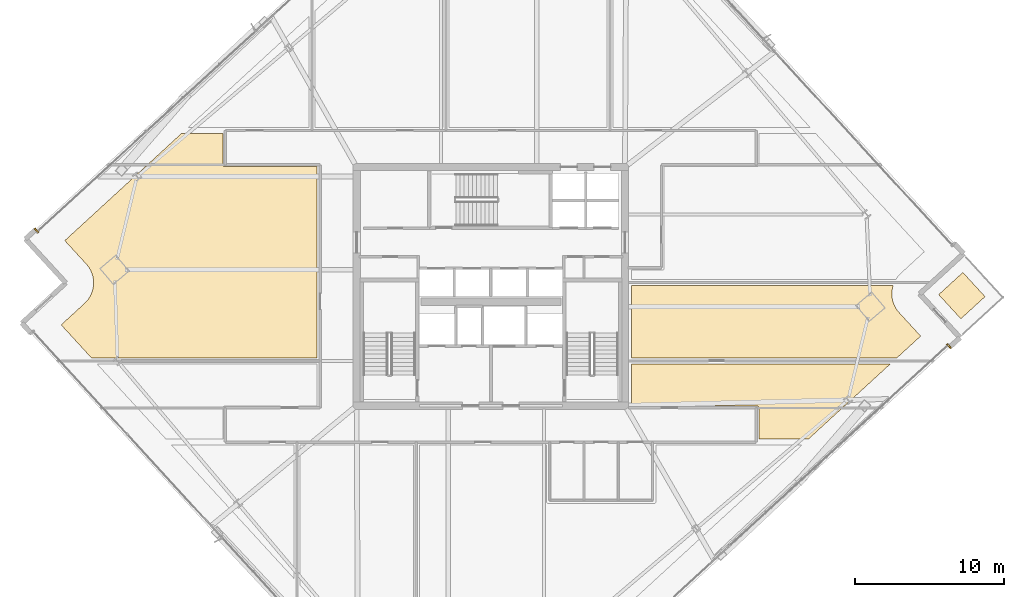
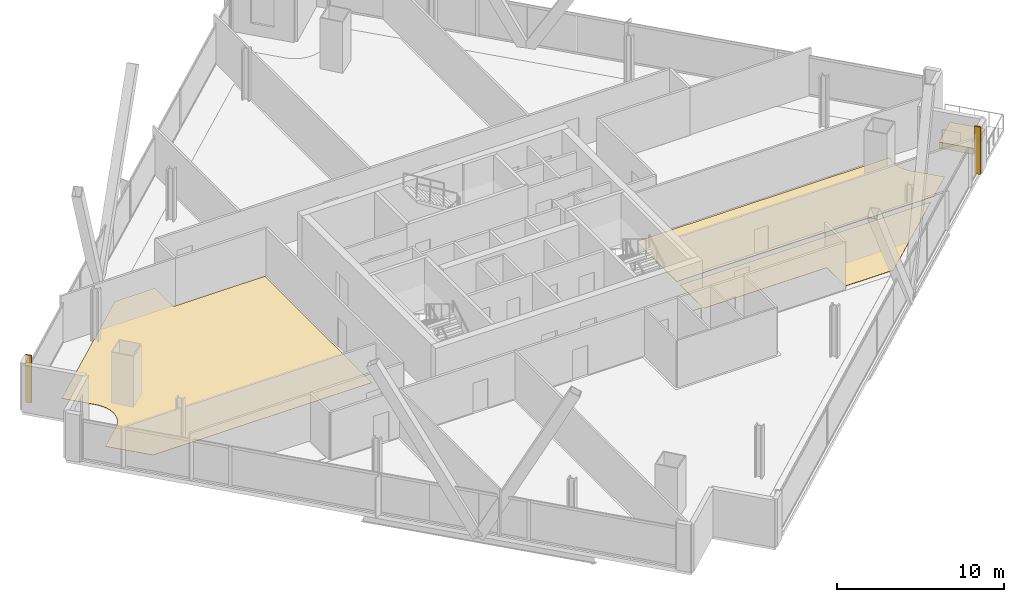
# One storey, part 30 of 32: 6 coverings.
"""IFC4 building model written with IfcOpenShell, lengths in metres."""

from ifc_helpers import new_model, si_unit, direction, frame, origin, origin_2d, place, context, subcontext, project, spatial, polyline, rectangle, outline, extrude, source, transform, mapped, material, layer, layer_set, type_object, element, save


model = new_model("IFC4")

# Units and contexts
model_context = context("Model", 3, precision=1e-05, world=origin(), true_north=direction((0.0, 1.0)))
body_context = subcontext(model_context, "Body", "Model", "MODEL_VIEW")
ifc_project = project(units=[si_unit("LENGTHUNIT", "METRE"), si_unit("AREAUNIT", "SQUARE_METRE"), si_unit("VOLUMEUNIT", "CUBIC_METRE"), si_unit("PLANEANGLEUNIT", "RADIAN"), si_unit("MASSUNIT", "GRAM", prefix="KILO")], contexts=[model_context])

# Site, building, storey
site_placement = place(None, origin())
site = spatial("IfcSite", under=ifc_project, at=site_placement, CompositionType="ELEMENT")
building_placement = place(site_placement, origin())
building = spatial("IfcBuilding", under=site, at=building_placement, Name="Haldenkirk Collegiate Tower", CompositionType="ELEMENT")
storey_placement = place(building_placement, frame((0.0, 0.0, 170.699951171875)))
storey = spatial("IfcBuildingStorey", under=building, at=storey_placement, Name="L42", CompositionType="ELEMENT", Elevation=170.699951171875)

# Coverings
ifc_material_1 = material(Name="Polished collegiate terrazzo", Category="concrete")
ifc_layer_1 = layer(ifc_material_1, 0.02490234375)
ifc_layer_set_1 = layer_set([ifc_layer_1], Name="Polished collegiate terrazzo")
covering_type_1 = type_object("IfcCoveringType", Name="COV-FLOOR-TERRAZZO", PredefinedType="FLOORING", material=ifc_layer_set_1)
covering_1_placement = place(storey_placement, origin())
element("IfcCovering", 1, at=covering_1_placement, inside=storey, type_object=covering_type_1, Name="L42 academic room finish 10", PredefinedType="FLOORING", context=body_context, shape_type="SweptSolid", body=[
    extrude(outline(polyline([(57.30029296875, 15.75), (53.969970703125, 15.75), (53.969970703125, 17.85009765625), (53.969482421875, 17.86181640625), (53.9677734375, 17.873291015625), (53.96484375, 17.884765625), (53.9609375, 17.89599609375), (53.955810546875, 17.906494140625), (53.94970703125, 17.916748046875), (53.94287109375, 17.926025390625), (53.934814453125, 17.934814453125), (53.926025390625, 17.94287109375), (53.916748046875, 17.94970703125), (53.906494140625, 17.955810546875), (53.89599609375, 17.9609375), (53.884765625, 17.96484375), (53.873291015625, 17.9677734375), (53.86181640625, 17.969482421875), (53.85009765625, 17.969970703125), (45.449951171875, 17.969970703125), (45.449951171875, 20.800048828125), (62.8017578125, 20.800048828125), (57.30029296875, 15.75)])), origin(), (0.0, 0.0, 1.0), 0.025146484375),
])
ifc_material_2 = material(Name="Engineered collegiate oak acoustic flooring", Category="wood")
ifc_layer_2 = layer(ifc_material_2, 0.02197265625)
ifc_layer_set_2 = layer_set([ifc_layer_2], Name="Engineered collegiate oak acoustic flooring")
covering_type_2 = type_object("IfcCoveringType", Name="COV-FLOOR-TIMBER", PredefinedType="FLOORING", material=ifc_layer_set_2)
covering_2_placement = place(storey_placement, origin())
element("IfcCovering", 2, at=covering_2_placement, inside=storey, type_object=covering_type_2, Name="L42 academic room finish 09", PredefinedType="FLOORING", context=body_context, shape_type="SweptSolid", body=[
    extrude(outline(polyline([(8.751708984375, 24.8515625), (8.756103515625, 24.855712890625), (8.876708984375, 24.977783203125), (8.884521484375, 24.986572265625), (8.99267578125, 25.119873046875), (8.999755859375, 25.12939453125), (9.09423828125, 25.27294921875), (9.10009765625, 25.282958984375), (9.18017578125, 25.43505859375), (9.185302734375, 25.44580078125), (9.25, 25.604736328125), (9.25390625, 25.615966796875), (9.302490234375, 25.780517578125), (9.305419921875, 25.7919921875), (9.337646484375, 25.960693359375), (9.33935546875, 25.972412109375), (9.355224609375, 26.143310546875), (9.355712890625, 26.155029296875), (9.3544921875, 26.326904296875), (9.35400390625, 26.33837890625), (9.3359375, 26.50927734375), (9.334228515625, 26.52099609375), (9.299560546875, 26.689208984375), (9.296630859375, 26.70068359375), (9.245849609375, 26.86474609375), (9.24169921875, 26.875732421875), (9.175048828125, 27.033935546875), (9.169921875, 27.04443359375), (9.088134765625, 27.1953125), (9.08203125, 27.20556640625), (8.985595703125, 27.34765625), (8.978515625, 27.357177734375), (8.868896484375, 27.4892578125), (8.864990234375, 27.49365234375), (7.424560546875, 29.062744140625), (15.254150390625, 36.25), (18.030029296875, 36.25), (18.030029296875, 34.14990234375), (18.030517578125, 34.13818359375), (18.0322265625, 34.126708984375), (18.03515625, 34.115234375), (18.0390625, 34.10400390625), (18.044189453125, 34.093505859375), (18.05029296875, 34.083251953125), (18.05712890625, 34.073974609375), (18.065185546875, 34.065185546875), (18.073974609375, 34.05712890625), (18.083251953125, 34.05029296875), (18.093505859375, 34.044189453125), (18.10400390625, 34.0390625), (18.115234375, 34.03515625), (18.126708984375, 34.0322265625), (18.13818359375, 34.030517578125), (18.14990234375, 34.030029296875), (24.35009765625, 34.030029296875), (24.35009765625, 21.199951171875), (9.21240234375, 21.199951171875), (7.1826171875, 23.4111328125), (8.751708984375, 24.8515625)])), origin(), (0.0, 0.0, 1.0), 0.02197265625),
])
covering_3_placement = place(storey_placement, origin())
element("IfcCovering", 3, at=covering_3_placement, inside=storey, type_object=covering_type_2, Name="L42 academic room finish 11", PredefinedType="FLOORING", context=body_context, shape_type="SweptSolid", body=[
    extrude(outline(polyline([(62.982666015625, 26.050048828125), (62.950927734375, 25.943115234375), (62.9482421875, 25.931640625), (62.915771484375, 25.76318359375), (62.9140625, 25.75146484375), (62.8984375, 25.580322265625), (62.89794921875, 25.568603515625), (62.89892578125, 25.39697265625), (62.899658203125, 25.38525390625), (62.91748046875, 25.21435546875), (62.91943359375, 25.20263671875), (62.9541015625, 25.034423828125), (62.956787109375, 25.02294921875), (63.0078125, 24.85888671875), (63.01171875, 24.847900390625), (63.07861328125, 24.689697265625), (63.08349609375, 24.67919921875), (63.16552734375, 24.5283203125), (63.171630859375, 24.51806640625), (63.267822265625, 24.3759765625), (63.27490234375, 24.366455078125), (63.384765625, 24.234619140625), (63.388671875, 24.22998046875), (64.8291015625, 22.660888671875), (63.237548828125, 21.199951171875), (45.449951171875, 21.199951171875), (45.449951171875, 26.050048828125), (62.982666015625, 26.050048828125)])), origin(), (0.0, 0.0, 1.0), 0.02197265625),
])
ifc_material_3 = material(Name="Precast concrete f'c 40 MPa", Category="concrete")
ifc_layer_3 = layer(ifc_material_3, 0.449951171875)
ifc_layer_set_3 = layer_set([ifc_layer_3], Name="Precast concrete f'c 40 MPa")
covering_type_3 = type_object("IfcCoveringType", Name="COV-PLANTER-450", PredefinedType="USERDEFINED", material=ifc_layer_set_3)
covering_4_placement = place(storey_placement, origin())
element("IfcCovering", 4, at=covering_4_placement, inside=storey, type_object=covering_type_3, Name="L42 planted garden planter bed", ObjectType="PLANTER", PredefinedType="USERDEFINED", context=body_context, shape_type="SweptSolid", body=[
    extrude(outline(polyline([(67.525634765625, 23.819580078125), (66.037841796875, 25.440185546875), (67.65869140625, 26.927978515625), (69.146240234375, 25.30712890625), (67.525634765625, 23.819580078125)])), origin(), (0.0, 0.0, 1.0), 0.449951171875),
])
ifc_material_4 = material(Name="Anodised architectural bronze aluminium", Category="aluminium")
ifc_layer_4 = layer(ifc_material_4, 0.06005859375)
ifc_layer_set_4 = layer_set([ifc_layer_4], Name="Anodised architectural bronze aluminium")
covering_type_4 = type_object("IfcCoveringType", Name="COV-CLAD-BRONZE-60", PredefinedType="CLADDING", material=ifc_layer_set_4)
shared_shape = source(origin(), body_context, "Body", "SweptSolid", [
    extrude(rectangle(XDim=0.10009765625, YDim=0.3798828125, at=origin_2d()), origin(), (0.0, 0.0, 1.0), 3.4599609375),
])
for number, where, z_axis, x_axis, name in (
    (5, (66.72509765625, 21.9853515625, 0.0), (0.0, 0.0, 1.0), (-0.736687492475, -0.67623334614, 0.0), "L42 recessed curtain-wall bronze jamb closure SJL"),
    (6, (5.5283203125, 29.738525390625, 0.0), (0.0, 0.0, 1.0), (0.736687492475, 0.67623334614, 0.0), "L42 recessed curtain-wall bronze jamb closure NJL"),
):
    element("IfcCovering", number, at=place(storey_placement, frame(where, z_axis=z_axis, x_axis=x_axis)), inside=storey, type_object=covering_type_4, Name=name, PredefinedType="CLADDING", context=body_context, shape_type="MappedRepresentation", body=[
        mapped(shared_shape, transform((0.0, 0.0, 0.0), x_axis=(1.0, 0.0, 0.0), y_axis=(0.0, 1.0, 0.0), z_axis=(0.0, 0.0, 1.0), scale=1.0)),
    ])

save(model, "model.ifc")
